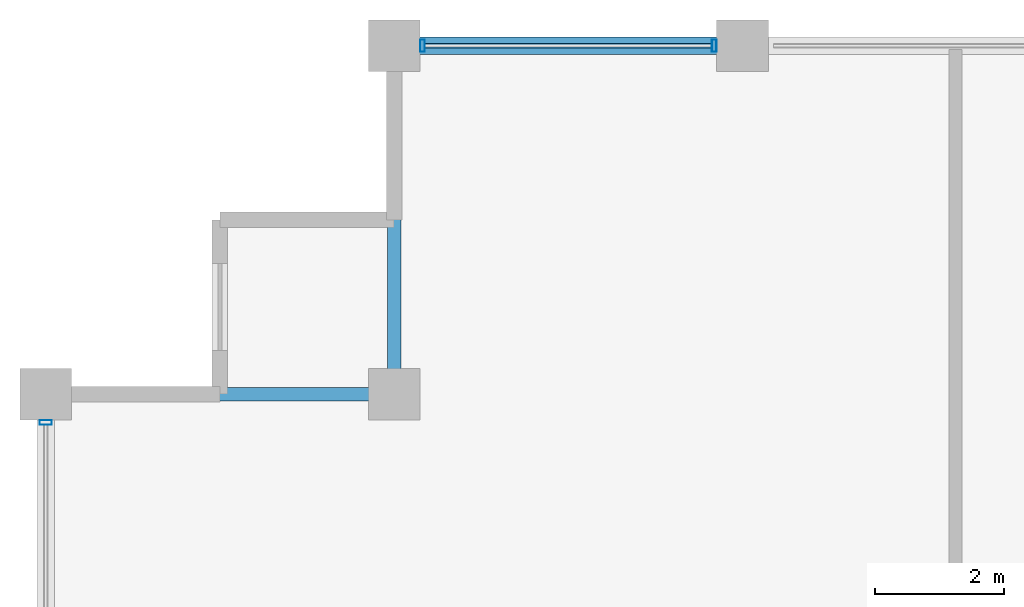
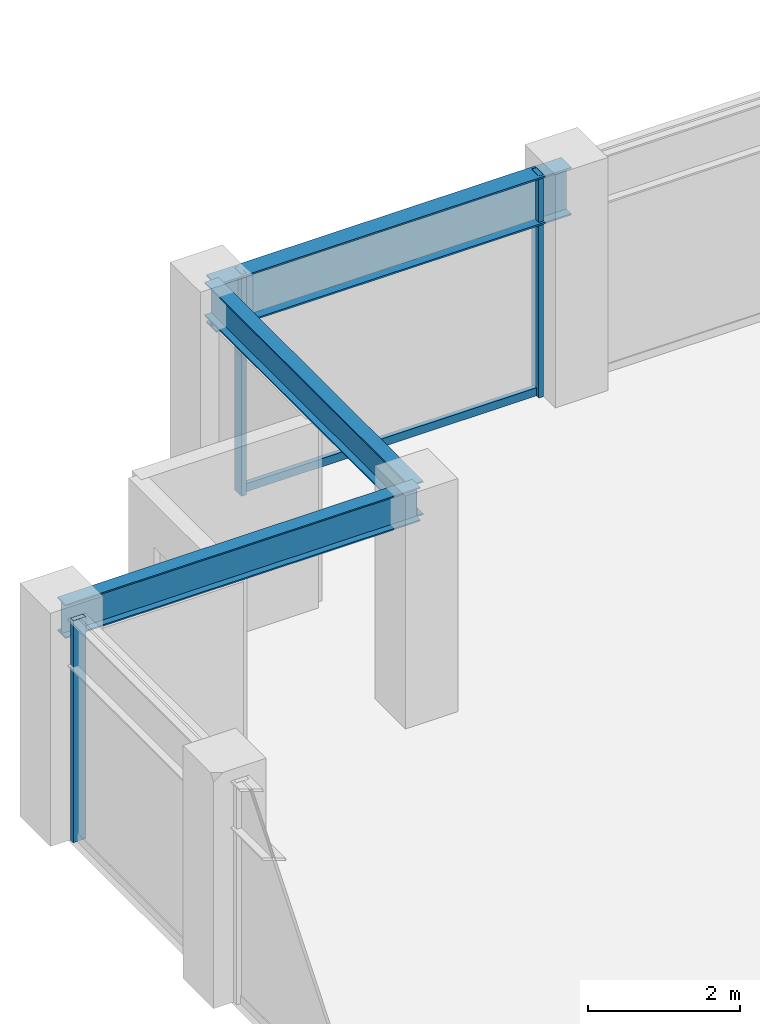
# One storey, part 18 of 32: 4 members, 3 beams, 2 elements without a shape of their own.
"""IFC4 building model written with IfcOpenShell, lengths in metres."""

from ifc_helpers import new_model, si_unit, direction, frame, origin, origin_2d, place, context, subcontext, project, spatial, hollow_rectangle, i_section, extrude, material, layer, layer_set, material_profile, profile_set, type_object, element, aggregate, save


model = new_model("IFC4")

# Units and contexts
model_context = context("Model", 3, precision=1e-05, world=origin(), true_north=direction((0.0, 1.0)))
body_context = subcontext(model_context, "Body", "Model", "MODEL_VIEW")
ifc_project = project(units=[si_unit("LENGTHUNIT", "METRE"), si_unit("AREAUNIT", "SQUARE_METRE"), si_unit("VOLUMEUNIT", "CUBIC_METRE"), si_unit("PLANEANGLEUNIT", "RADIAN"), si_unit("MASSUNIT", "GRAM", prefix="KILO")], contexts=[model_context])

# Site, building, storey
site_placement = place(None, origin())
site = spatial("IfcSite", under=ifc_project, at=site_placement, CompositionType="ELEMENT")
building_placement = place(site_placement, origin())
building = spatial("IfcBuilding", under=site, at=building_placement, Name="Surkhivell Harbour Commons", CompositionType="ELEMENT")
storey_placement = place(building_placement, frame((0.0, 0.0, 219.75)))
storey = spatial("IfcBuildingStorey", under=building, at=storey_placement, Name="L57", CompositionType="ELEMENT", Elevation=219.75)

# Beams
ifc_material_1 = material(Name="Steel S355", Category="steel")
ifc_material_profile_1 = material_profile(ifc_material_1, i_section(OverallWidth=0.2119140625, OverallDepth=0.5439453125, WebThickness=0.0126953125, FlangeThickness=0.021240234375, at=origin_2d()), Name="UB533x210x122")
ifc_profile_set_1 = profile_set([ifc_material_profile_1], Name="Steel S355")
beam_type_1 = type_object("IfcBeamType", Name="BM-GRD-533A", PredefinedType="BEAM", material=ifc_profile_set_1)
for number, where, z_axis, x_axis, name in (
    (1, (-27.0, 20.5, 3.298095703125), (1.0, 0.0, 0.0), (0.0, 1.0, 0.0), "L57 Floor Girder (-27.0,20.5)"),
    (2, (-21.60009765625, 20.5, 3.298095703125), (0.0, 1.0, 0.0), (-1.0, 0.0, 0.0), "L57 Floor Girder (-21.6,20.5)"),
):
    element("IfcBeam", number, at=place(storey_placement, frame(where, z_axis=z_axis, x_axis=x_axis)), inside=storey, type_object=beam_type_1, Name=name, PredefinedType="BEAM", context=body_context, shape_type="SweptSolid", body=[
        extrude(i_section(OverallWidth=0.2119140625, OverallDepth=0.5439453125, WebThickness=0.0126953125, FlangeThickness=0.021240234375, at=origin_2d()), origin(), (0.0, 0.0, 1.0), 5.39990234375),
    ])
ifc_material_profile_2 = material_profile(ifc_material_1, i_section(OverallWidth=0.26806640625, OverallDepth=0.77001953125, WebThickness=0.015625, FlangeThickness=0.025390625, at=origin_2d()), Name="UB762x267x197")
ifc_profile_set_2 = profile_set([ifc_material_profile_2], Name="Steel S355")
beam_type_2 = type_object("IfcBeamType", Name="BM-SPN-762", PredefinedType="SPANDREL", material=ifc_profile_set_2)
beam_placement = place(storey_placement, frame((-21.60009765625, 25.89990234375, 3.18505859375), z_axis=(1.0, 0.0, 0.0), x_axis=(0.0, 1.0, 0.0)))
element("IfcBeam", 3, at=beam_placement, inside=storey, type_object=beam_type_2, Name="L57 Tube Spandrel (-21.6,25.9)", PredefinedType="SPANDREL", context=body_context, shape_type="SweptSolid", body=[
    extrude(i_section(OverallWidth=0.26806640625, OverallDepth=0.77001953125, WebThickness=0.015625, FlangeThickness=0.025390625, at=origin_2d()), origin(), (0.0, 0.0, 1.0), 5.400146484375),
])

# Curtain wall, members
ifc_material_2 = material(Name="Anodised pale-metal aluminium and insulated glazing", Category="aluminium")
ifc_layer = layer(ifc_material_2, 0.18994140625)
ifc_layer_set = layer_set([ifc_layer], Name="Anodised pale-metal aluminium and insulated glazing")
curtain_wall_type = type_object("IfcCurtainWallType", Name="CW-SYS-Z3", PredefinedType="NOTDEFINED", material=ifc_layer_set)
curtain_wall_1_placement = place(storey_placement, origin())
curtain_wall_1 = element("IfcCurtainWall", 4, at=curtain_wall_1_placement, inside=storey, type_object=curtain_wall_type, Name="L57 Curtain Wall CW-L57-E07S2", PredefinedType="NOTDEFINED")
ifc_material_3 = material(Name="Anodised pale-metal aluminium alloy 6063-T6", Category="aluminium")
ifc_material_profile_3 = material_profile(ifc_material_3, hollow_rectangle(XDim=0.074951171875, YDim=0.18994140625, WallThickness=0.00390625, at=origin_2d()), Name="ALU-MULL-75x190")
ifc_profile_set_3 = profile_set([ifc_material_profile_3], Name="Anodised pale-metal aluminium alloy 6063-T6")
member_type_1 = type_object("IfcMemberType", Name="CWM-190", PredefinedType="MULLION", material=ifc_profile_set_3)
member_1_placement = place(storey_placement, frame((-16.639404296875, 25.89990234375, 0.0), z_axis=(0.0, 0.0, 1.0), x_axis=(-1.0, 0.0, 0.0)))
member_1 = element("IfcMember", 5, at=member_1_placement, type_object=member_type_1, Name="CW-Z3 mullion 3", PredefinedType="MULLION", context=body_context, shape_type="SweptSolid", body=[
    extrude(hollow_rectangle(XDim=0.074951171875, YDim=0.18994140625, WallThickness=0.00390625, at=origin_2d()), origin(), (0.0, 0.0, 1.0), 3.570068359375),
])
member_2_placement = place(storey_placement, frame((-21.160400390625, 25.89990234375, 0.0), z_axis=(0.0, 0.0, 1.0), x_axis=(-1.0, 0.0, 0.0)))
member_2 = element("IfcMember", 6, at=member_2_placement, type_object=member_type_1, Name="CW-Z3 mullion 4", PredefinedType="MULLION", context=body_context, shape_type="SweptSolid", body=[
    extrude(hollow_rectangle(XDim=0.074951171875, YDim=0.18994140625, WallThickness=0.00390625, at=origin_2d()), origin(), (0.0, 0.0, 1.0), 3.570068359375),
])

# Curtain wall, member
curtain_wall_2_placement = place(storey_placement, origin())
curtain_wall_2 = element("IfcCurtainWall", 7, at=curtain_wall_2_placement, inside=storey, type_object=curtain_wall_type, Name="L57 Curtain Wall CW-L57-E12S1", PredefinedType="NOTDEFINED")
member_3_placement = place(storey_placement, frame((-27.0, 20.060546875, 0.0), z_axis=(0.0, 0.0, 1.0), x_axis=(0.0, -1.0, 0.0)))
member_3 = element("IfcMember", 8, at=member_3_placement, type_object=member_type_1, Name="CW-Z3 mullion 1", PredefinedType="MULLION", context=body_context, shape_type="SweptSolid", body=[
    extrude(hollow_rectangle(XDim=0.074951171875, YDim=0.18994140625, WallThickness=0.00390625, at=origin_2d()), origin(), (0.0, 0.0, 1.0), 3.570068359375),
])
aggregate(curtain_wall_2, [member_3])

# Member
ifc_material_4 = material(Name="Champagne anodised aluminium alloy 6063-T6", Category="aluminium")
ifc_material_profile_4 = material_profile(ifc_material_4, hollow_rectangle(XDim=0.070068359375, YDim=0.1298828125, WallThickness=0.00341796875, at=origin_2d()), Name="ALU-TRAN-70x130")
ifc_profile_set_4 = profile_set([ifc_material_profile_4], Name="Champagne anodised aluminium alloy 6063-T6")
member_type_2 = type_object("IfcMemberType", Name="CWT-130", PredefinedType="USERDEFINED", material=ifc_profile_set_4)
member_4_placement = place(storey_placement, frame((-16.677001953125, 25.89990234375, 0.06494140625), z_axis=(-1.0, 0.0, 0.0), x_axis=(0.0, -1.0, 0.0)))
member_4 = element("IfcMember", 9, at=member_4_placement, type_object=member_type_2, Name="CW-Z3 transom 3.1", ObjectType="TRANSOM", PredefinedType="USERDEFINED", context=body_context, shape_type="SweptSolid", body=[
    extrude(hollow_rectangle(XDim=0.070068359375, YDim=0.1298828125, WallThickness=0.00341796875, at=origin_2d()), origin(), (0.0, 0.0, 1.0), 4.446044921875),
])

aggregate(curtain_wall_1, [member_1, member_2, member_4])

save(model, "model.ifc")
